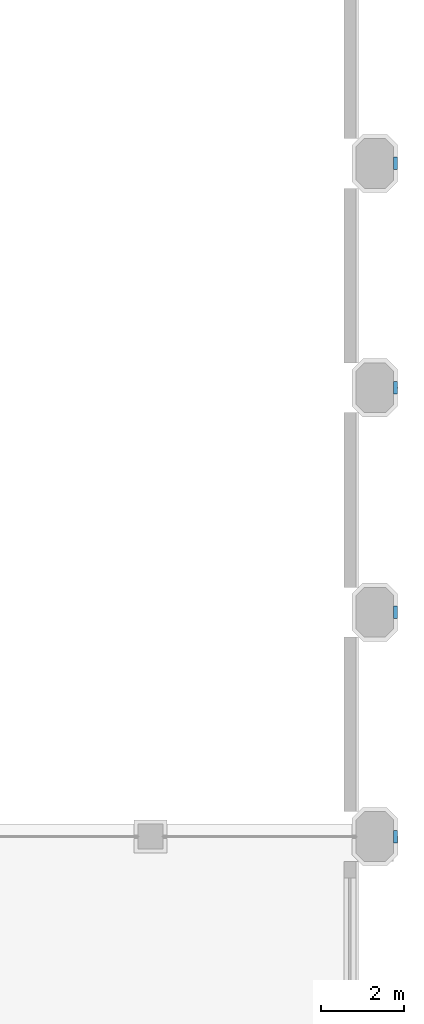
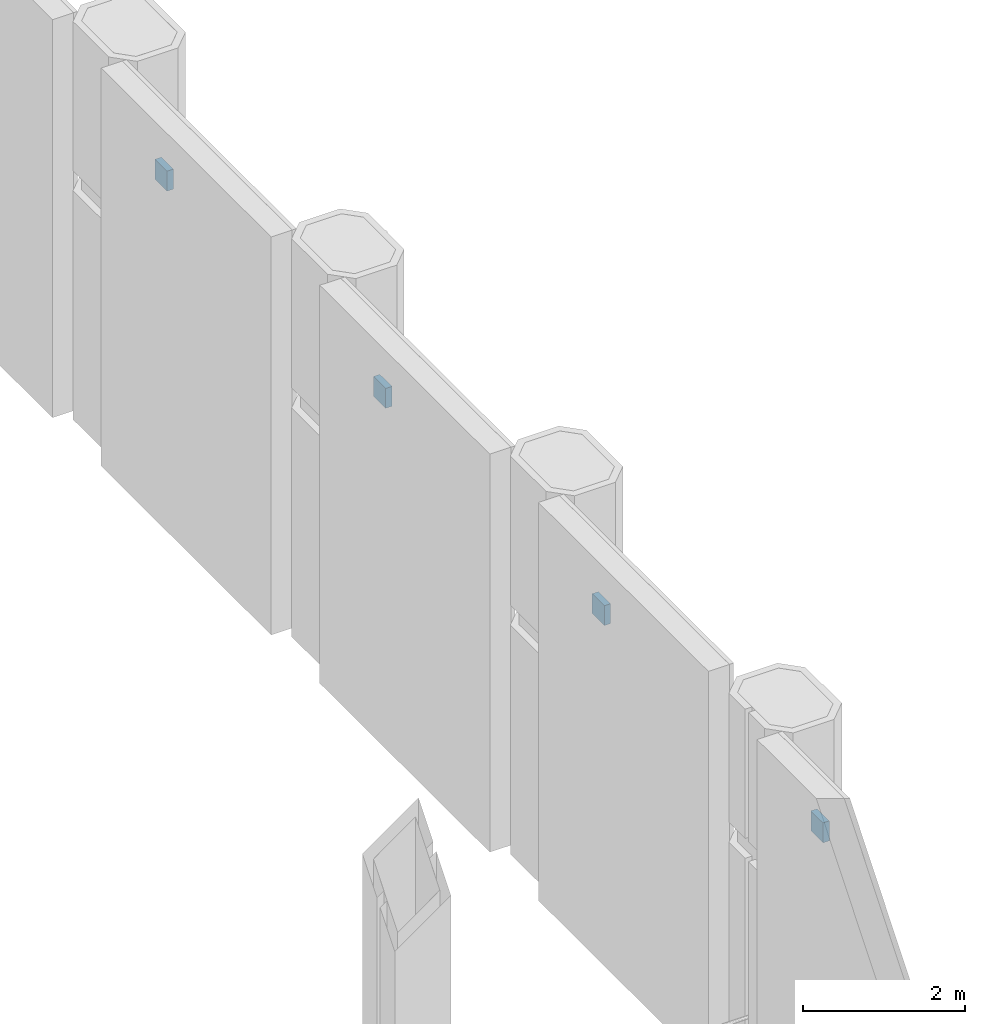
# One storey, part 20 of 34: 4 discrete accessories.
"""IFC4 building model written with IfcOpenShell, lengths in metres."""

from ifc_helpers import new_model, si_unit, direction, frame, origin, origin_2d, place, context, subcontext, project, spatial, rectangle, extrude, element, save


model = new_model("IFC4")

# Units and contexts
model_context = context("Model", 3, precision=1e-05, world=origin(), true_north=direction((0.0, 1.0)))
body_context = subcontext(model_context, "Body", "Model", "MODEL_VIEW")
ifc_project = project(units=[si_unit("LENGTHUNIT", "METRE"), si_unit("AREAUNIT", "SQUARE_METRE"), si_unit("VOLUMEUNIT", "CUBIC_METRE"), si_unit("PLANEANGLEUNIT", "RADIAN"), si_unit("MASSUNIT", "GRAM", prefix="KILO")], contexts=[model_context])

# Site, building, storey
site_placement = place(None, origin())
site = spatial("IfcSite", under=ifc_project, at=site_placement, CompositionType="ELEMENT")
building_placement = place(site_placement, origin())
building = spatial("IfcBuilding", under=site, at=building_placement, Name="Tabaq Tower and Sports Hall", CompositionType="ELEMENT")
storey_placement = place(building_placement, frame((0.0, 0.0, 8.39990234375)))
storey = spatial("IfcBuildingStorey", under=building, at=storey_placement, Name="L01", CompositionType="ELEMENT", Elevation=8.39990234375)

# Discrete accessories
for number, where, z_axis, x_axis, name in (
    (1, (124.695068359375, 10.800048828125, 3.4501953125), (0.0, 0.0, 1.0), (1.0, 0.0, 0.0), "Screen bracket 02-2"),
    (2, (124.695068359375, 16.199951171875, 3.4501953125), (0.0, 0.0, 1.0), (1.0, 0.0, 0.0), "Screen bracket 03-2"),
    (3, (124.695068359375, 21.60009765625, 3.4501953125), (0.0, 0.0, 1.0), (1.0, 0.0, 0.0), "Screen bracket 04-2"),
    (4, (124.695068359375, 27.0, 3.4501953125), (0.0, 0.0, 1.0), (1.0, 0.0, 0.0), "Screen bracket 05-2"),
):
    element("IfcDiscreteAccessory", number, at=place(storey_placement, frame(where, z_axis=z_axis, x_axis=x_axis)), inside=storey, Name=name, PredefinedType="NOTDEFINED", context=body_context, shape_type="SweptSolid", body=[
        extrude(rectangle(XDim=0.090087890625, YDim=0.300048828125, at=origin_2d()), origin(), (0.0, 0.0, 1.0), 0.300048828125),
    ])

save(model, "model.ifc")
